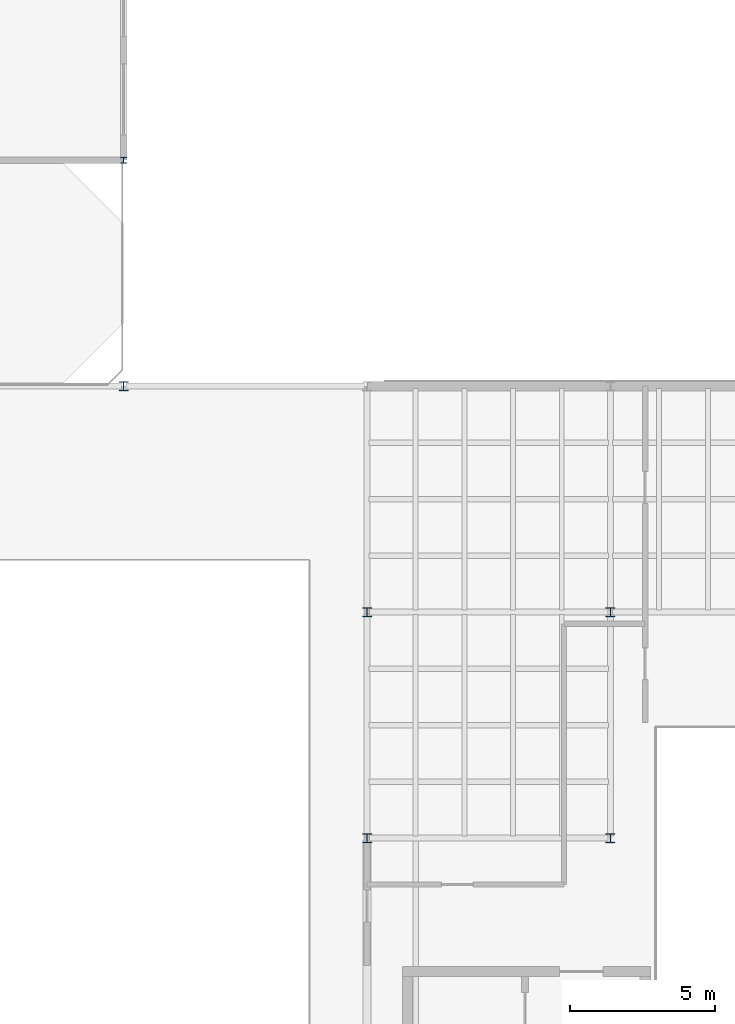
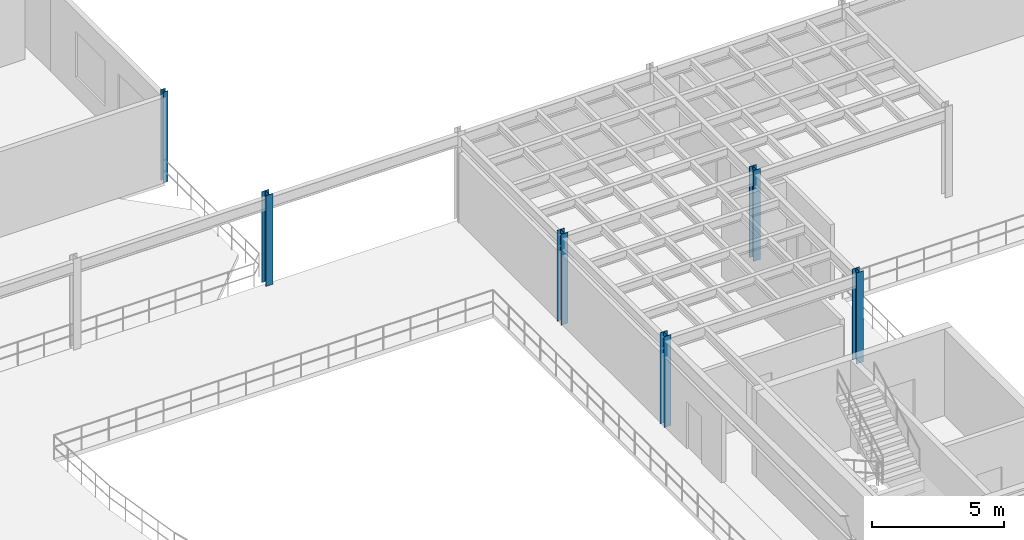
# One storey, part 4 of 32: 6 columns.
"""IFC4 building model written with IfcOpenShell, lengths in metres."""

from ifc_helpers import new_model, si_unit, direction, frame, origin, origin_2d, place, context, subcontext, project, spatial, i_section, extrude, material, material_profile, profile_set, type_object, element, save


model = new_model("IFC4")

# Units and contexts
model_context = context("Model", 3, precision=1e-05, world=origin(), true_north=direction((0.0, 1.0)))
body_context = subcontext(model_context, "Body", "Model", "MODEL_VIEW")
ifc_project = project(units=[si_unit("LENGTHUNIT", "METRE"), si_unit("AREAUNIT", "SQUARE_METRE"), si_unit("VOLUMEUNIT", "CUBIC_METRE"), si_unit("PLANEANGLEUNIT", "RADIAN"), si_unit("MASSUNIT", "GRAM", prefix="KILO")], contexts=[model_context])

# Site, building, storey
site_placement = place(None, origin())
site = spatial("IfcSite", under=ifc_project, at=site_placement, CompositionType="ELEMENT")
building_placement = place(site_placement, origin())
building = spatial("IfcBuilding", under=site, at=building_placement, Name="Selat Folded Stagehouse", CompositionType="ELEMENT")
storey_placement = place(building_placement, frame((0.0, 0.0, 19.199951171875)))
storey = spatial("IfcBuildingStorey", under=building, at=storey_placement, Name="L04", CompositionType="ELEMENT", Elevation=19.199951171875)

# Columns
ifc_material = material(Name="Steel S355", Category="steel")
ifc_material_profile_1 = material_profile(ifc_material, i_section(OverallWidth=0.205810546875, OverallDepth=0.209716796875, WebThickness=0.009521484375, FlangeThickness=0.01416015625, FilletRadius=0.01025390625, at=origin_2d()), Name="UKC 203x203x60")
ifc_profile_set_1 = profile_set([ifc_material_profile_1], Name="Steel S355")
column_type_1 = type_object("IfcColumnType", Name="COL-UKC-203x203x60", PredefinedType="COLUMN", material=ifc_profile_set_1)
column_placement = place(storey_placement, frame((25.199951171875, 62.39990234375, 0.0), z_axis=(0.0, 0.0, 1.0), x_axis=(1.0, 0.0, 0.0)))
element("IfcColumn", 1, at=column_placement, inside=storey, type_object=column_type_1, Name="L04 column STK-V4-10", PredefinedType="COLUMN", context=body_context, shape_type="SweptSolid", body=[
    extrude(i_section(OverallWidth=0.205810546875, OverallDepth=0.209716796875, WebThickness=0.009521484375, FlangeThickness=0.01416015625, FilletRadius=0.01025390625, at=origin_2d()), origin(), (0.0, 0.0, 1.0), 4.199951171875),
])
ifc_material_profile_2 = material_profile(ifc_material, i_section(OverallWidth=0.30908203125, OverallDepth=0.320556640625, WebThickness=0.013916015625, FlangeThickness=0.021728515625, FilletRadius=0.01513671875, at=origin_2d()), Name="UKC 305x305x137")
ifc_profile_set_2 = profile_set([ifc_material_profile_2], Name="Steel S355")
column_type_2 = type_object("IfcColumnType", Name="COL-UKC-305x305x137", PredefinedType="COLUMN", material=ifc_profile_set_2)
for number, where, z_axis, x_axis, name in (
    (2, (25.199951171875, 54.60009765625, 0.0), (0.0, 0.0, 1.0), (1.0, 0.0, 0.0), "L04 column STK-V2-05"),
    (3, (33.60009765625, 39.0, 0.0), (0.0, 0.0, 1.0), (1.0, 0.0, 0.0), "L04 column STK-V2-08"),
    (4, (33.60009765625, 46.800048828125, 0.0), (0.0, 0.0, 1.0), (1.0, 0.0, 0.0), "L04 column STK-V2-09"),
    (5, (42.0, 39.0, 0.0), (0.0, 0.0, 1.0), (1.0, 0.0, 0.0), "L04 column STK-V2-12"),
    (6, (42.0, 46.800048828125, 0.0), (0.0, 0.0, 1.0), (1.0, 0.0, 0.0), "L04 column STK-V2-13"),
):
    element("IfcColumn", number, at=place(storey_placement, frame(where, z_axis=z_axis, x_axis=x_axis)), inside=storey, type_object=column_type_2, Name=name, PredefinedType="COLUMN", context=body_context, shape_type="SweptSolid", body=[
        extrude(i_section(OverallWidth=0.30908203125, OverallDepth=0.320556640625, WebThickness=0.013916015625, FlangeThickness=0.021728515625, FilletRadius=0.01513671875, at=origin_2d()), origin(), (0.0, 0.0, 1.0), 4.199951171875),
    ])

save(model, "model.ifc")
